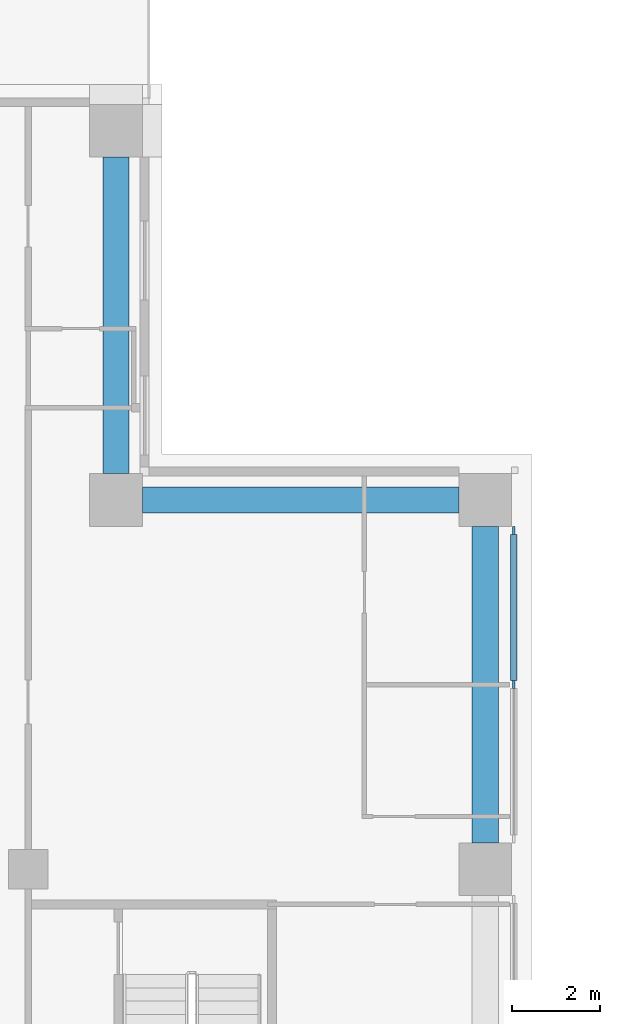
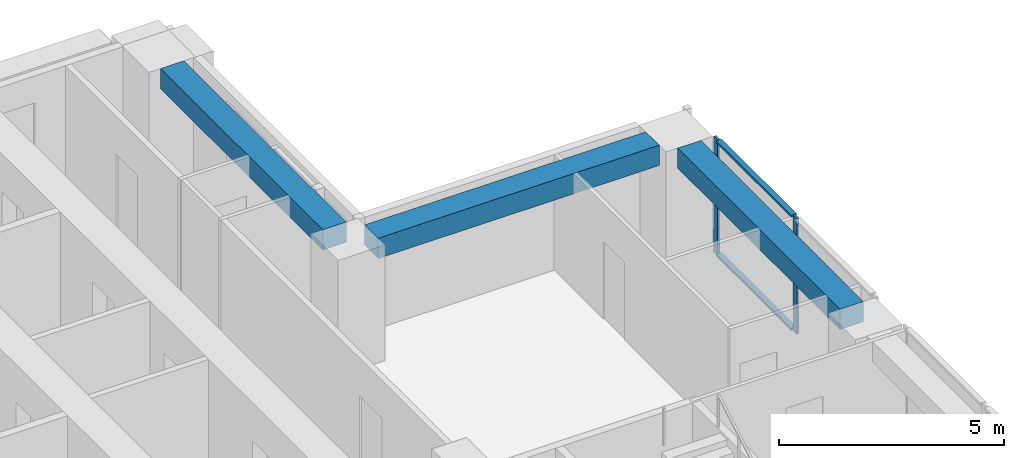
# One storey, part 6 of 18: 4 members, 3 beams, 1 element without a shape of its own.
"""IFC4 building model written with IfcOpenShell, lengths in metres."""

from ifc_helpers import new_model, si_unit, direction, frame, origin, origin_2d, place, context, subcontext, project, spatial, rectangle, extrude, material, material_profile, profile_set, type_object, element, aggregate, save


model = new_model("IFC4")

# Units and contexts
model_context = context("Model", 3, precision=1e-05, world=origin(), true_north=direction((0.0, 1.0)))
body_context = subcontext(model_context, "Body", "Model", "MODEL_VIEW")
ifc_project = project(units=[si_unit("LENGTHUNIT", "METRE"), si_unit("AREAUNIT", "SQUARE_METRE"), si_unit("VOLUMEUNIT", "CUBIC_METRE"), si_unit("PLANEANGLEUNIT", "RADIAN"), si_unit("MASSUNIT", "GRAM", prefix="KILO")], contexts=[model_context])

# Site, building, storey
site_placement = place(None, origin())
site = spatial("IfcSite", under=ifc_project, at=site_placement, CompositionType="ELEMENT")
building_placement = place(site_placement, origin())
building = spatial("IfcBuilding", under=site, at=building_placement, Name="Vermilion Ogive Tower", CompositionType="ELEMENT")
storey_placement = place(building_placement, frame((0.0, 0.0, 94.199951171875)))
storey = spatial("IfcBuildingStorey", under=building, at=storey_placement, Name="L23", CompositionType="ELEMENT", Elevation=94.199951171875)

# Curtain wall, members
ifc_material_1 = material(Name="Low-iron laminated glazing in aluminium frame", Category="aluminium")
curtain_wall_type = type_object("IfcCurtainWallType", Name="Curtain wall CW7", PredefinedType="NOTDEFINED", material=ifc_material_1)
curtain_wall_placement = place(storey_placement, origin())
curtain_wall = element("IfcCurtainWall", 1, at=curtain_wall_placement, inside=storey, type_object=curtain_wall_type, Name="Glazed skin E3", PredefinedType="NOTDEFINED")
ifc_material_2 = material(Name="Aluminium mullion", Category="aluminium")
ifc_material_profile_1 = material_profile(ifc_material_2, rectangle(XDim=0.06005859375, YDim=0.179931640625, at=origin_2d()), Name="AL 60x180")
ifc_profile_set_1 = profile_set([ifc_material_profile_1], Name="Aluminium mullion")
member_type_1 = type_object("IfcMemberType", Name="CW7 mullion 60x180", PredefinedType="MULLION", material=ifc_profile_set_1)
member_1_placement = place(storey_placement, frame((25.85009765625, 8.39990234375, 0.0), z_axis=(0.0, 0.0, 1.0), x_axis=(-1.0, 0.0, 0.0)))
member_1 = element("IfcMember", 2, at=member_1_placement, type_object=member_type_1, Name="CW7-E3 mullion 2", PredefinedType="MULLION", context=body_context, shape_type="SweptSolid", body=[
    extrude(rectangle(XDim=0.06005859375, YDim=0.179931640625, at=origin_2d()), origin(), (0.0, 0.0, 1.0), 3.130126953125),
])
member_2_placement = place(storey_placement, frame((25.85009765625, 11.909912109375, 0.0), z_axis=(0.0, 0.0, 1.0), x_axis=(-1.0, 0.0, 0.0)))
member_2 = element("IfcMember", 3, at=member_2_placement, type_object=member_type_1, Name="CW7-E3 mullion 3", PredefinedType="MULLION", context=body_context, shape_type="SweptSolid", body=[
    extrude(rectangle(XDim=0.06005859375, YDim=0.179931640625, at=origin_2d()), origin(), (0.0, 0.0, 1.0), 3.130126953125),
])
ifc_material_3 = material(Name="Aluminium transom", Category="aluminium")
ifc_material_profile_2 = material_profile(ifc_material_3, rectangle(XDim=0.139892578125, YDim=0.06005859375, at=origin_2d()), Name="AL 60x140")
ifc_profile_set_2 = profile_set([ifc_material_profile_2], Name="Aluminium transom")
member_type_2 = type_object("IfcMemberType", Name="CW7 transom 60x140", PredefinedType="USERDEFINED", material=ifc_profile_set_2)
member_3_placement = place(storey_placement, frame((25.85009765625, 8.489990234375, 0.030029296875), z_axis=(0.0, 1.0, 0.0), x_axis=(-1.0, 0.0, 0.0)))
member_3 = element("IfcMember", 4, at=member_3_placement, type_object=member_type_2, Name="CW7-E3 transom 2.1", ObjectType="TRANSOM", PredefinedType="USERDEFINED", context=body_context, shape_type="SweptSolid", body=[
    extrude(rectangle(XDim=0.139892578125, YDim=0.06005859375, at=origin_2d()), origin(), (0.0, 0.0, 1.0), 3.330078125),
])
member_4_placement = place(storey_placement, frame((25.85009765625, 8.489990234375, 3.10009765625), z_axis=(0.0, 1.0, 0.0), x_axis=(-1.0, 0.0, 0.0)))
member_4 = element("IfcMember", 5, at=member_4_placement, type_object=member_type_2, Name="CW7-E3 transom 2.2", ObjectType="TRANSOM", PredefinedType="USERDEFINED", context=body_context, shape_type="SweptSolid", body=[
    extrude(rectangle(XDim=0.139892578125, YDim=0.06005859375, at=origin_2d()), origin(), (0.0, 0.0, 1.0), 3.330078125),
])
aggregate(curtain_wall, [member_1, member_2, member_3, member_4])

# Beams
ifc_material_4 = material(Name="Concrete B45", Category="concrete")
ifc_material_profile_3 = material_profile(ifc_material_4, rectangle(XDim=0.60009765625, YDim=0.550048828125, at=origin_2d()), Name="600 x 550")
ifc_profile_set_3 = profile_set([ifc_material_profile_3], Name="Concrete B45")
beam_type = type_object("IfcBeamType", Name="Edge beam 600 x 550 B45", PredefinedType="BEAM", material=ifc_profile_set_3)
beam_1_placement = place(storey_placement, frame((25.199951171875, 4.800048828125, 2.85498046875), z_axis=(0.0, 1.0, 0.0), x_axis=(-1.0, 0.0, 0.0)))
element("IfcBeam", 6, at=beam_1_placement, inside=storey, type_object=beam_type, Name="L23-EB-9", PredefinedType="BEAM", context=body_context, shape_type="SweptSolid", body=[
    extrude(rectangle(XDim=0.60009765625, YDim=0.550048828125, at=origin_2d()), origin(), (0.0, 0.0, 1.0), 7.199951171875),
])
beam_2_placement = place(storey_placement, frame((24.60009765625, 12.60009765625, 2.85498046875), z_axis=(-1.0, 0.0, 0.0), x_axis=(0.0, -1.0, 0.0)))
element("IfcBeam", 7, at=beam_2_placement, inside=storey, type_object=beam_type, Name="L23-EB-10", PredefinedType="BEAM", context=body_context, shape_type="SweptSolid", body=[
    extrude(rectangle(XDim=0.60009765625, YDim=0.550048828125, at=origin_2d()), origin(), (0.0, 0.0, 1.0), 7.2001953125),
])
beam_3_placement = place(storey_placement, frame((16.800048828125, 13.199951171875, 2.85498046875), z_axis=(0.0, 1.0, 0.0), x_axis=(-1.0, 0.0, 0.0)))
element("IfcBeam", 8, at=beam_3_placement, inside=storey, type_object=beam_type, Name="L23-EB-11", PredefinedType="BEAM", context=body_context, shape_type="SweptSolid", body=[
    extrude(rectangle(XDim=0.60009765625, YDim=0.550048828125, at=origin_2d()), origin(), (0.0, 0.0, 1.0), 7.199951171875),
])

save(model, "model.ifc")
